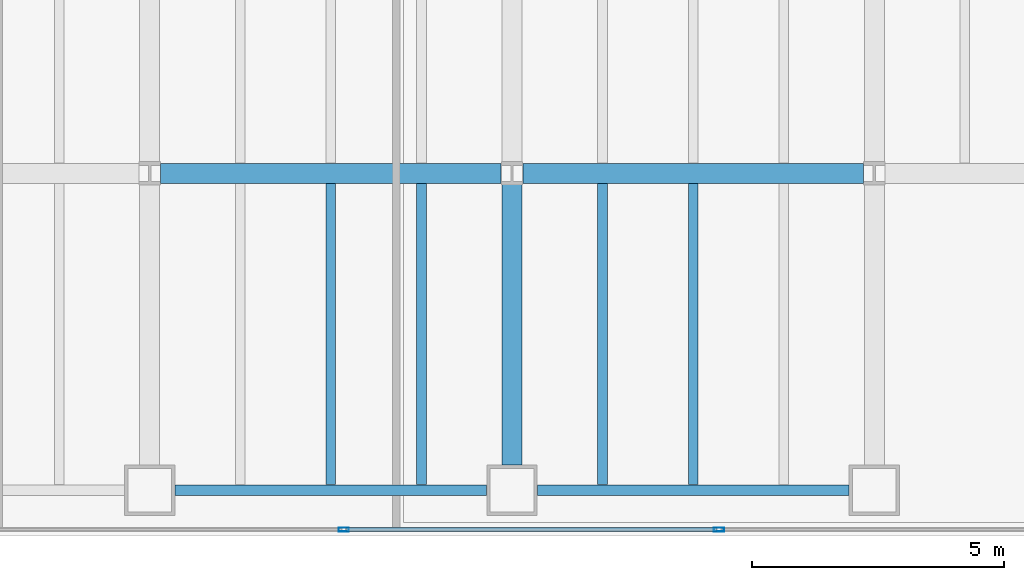
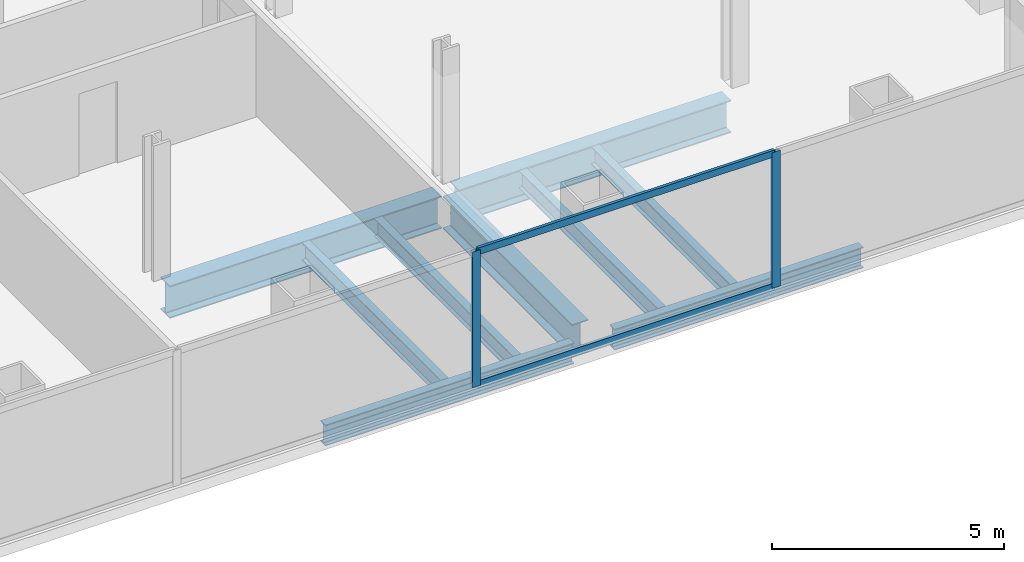
# One storey, part 7 of 25: 9 beams, 4 members, 1 element without a shape of its own.
"""IFC4 building model written with IfcOpenShell, lengths in metres."""

from ifc_helpers import new_model, si_unit, direction, frame, origin, origin_2d, place, context, subcontext, project, spatial, hollow_rectangle, i_section, extrude, material, material_profile, profile_set, type_object, element, aggregate, save


model = new_model("IFC4")

# Units and contexts
model_context = context("Model", 3, precision=1e-05, world=origin(), true_north=direction((0.0, 1.0)))
body_context = subcontext(model_context, "Body", "Model", "MODEL_VIEW")
ifc_project = project(units=[si_unit("LENGTHUNIT", "METRE"), si_unit("AREAUNIT", "SQUARE_METRE"), si_unit("VOLUMEUNIT", "CUBIC_METRE"), si_unit("PLANEANGLEUNIT", "RADIAN"), si_unit("MASSUNIT", "GRAM", prefix="KILO")], contexts=[model_context])

# Site, building, storey
site_placement = place(None, origin())
site = spatial("IfcSite", under=ifc_project, at=site_placement, CompositionType="ELEMENT")
building_placement = place(site_placement, origin())
building = spatial("IfcBuilding", under=site, at=building_placement, Name="Cobrela Telecom Tower", CompositionType="ELEMENT")
storey_placement = place(building_placement, frame((0.0, 0.0, 61.949951171875)))
storey = spatial("IfcBuildingStorey", under=building, at=storey_placement, Name="L15", CompositionType="ELEMENT", Elevation=61.949951171875)

# Beams
ifc_material_1 = material(Name="Steel ASTM A992 Grade 50", Category="steel")
ifc_material_profile_1 = material_profile(ifc_material_1, i_section(OverallWidth=0.39892578125, OverallDepth=0.85595703125, WebThickness=0.018310546875, FlangeThickness=0.029296875, FilletRadius=0.02001953125, at=origin_2d()), Name="W33X201")
ifc_profile_set_1 = profile_set([ifc_material_profile_1], Name="Steel ASTM A992 Grade 50")
beam_type_1 = type_object("IfcBeamType", Name="BM-GIRD-03", PredefinedType="USERDEFINED", material=ifc_profile_set_1)
for number, where, z_axis, x_axis, name in (
    (1, (29.01611328125, 7.199951171875, -0.7080078125), (1.0, 0.0, 0.0), (0.0, 1.0, 0.0), "L15 Primary Girder X10"),
    (2, (36.216064453125, 7.199951171875, -0.7080078125), (1.0, 0.0, 0.0), (0.0, 1.0, 0.0), "L15 Primary Girder X11"),
):
    element("IfcBeam", number, at=place(storey_placement, frame(where, z_axis=z_axis, x_axis=x_axis)), inside=storey, type_object=beam_type_1, Name=name, ObjectType="GIRDER", PredefinedType="USERDEFINED", context=body_context, shape_type="SweptSolid", body=[
        extrude(i_section(OverallWidth=0.39892578125, OverallDepth=0.85595703125, WebThickness=0.018310546875, FlangeThickness=0.029296875, FilletRadius=0.02001953125, at=origin_2d()), origin(), (0.0, 0.0, 1.0), 6.767822265625),
    ])
beam_placement = place(storey_placement, frame((36.0, 1.405029296875, -0.7080078125), z_axis=(0.0, 1.0, 0.0), x_axis=(-1.0, 0.0, 0.0)))
element("IfcBeam", 3, at=beam_placement, inside=storey, type_object=beam_type_1, Name="L15 Primary Girder Y50", ObjectType="GIRDER", PredefinedType="USERDEFINED", context=body_context, shape_type="SweptSolid", body=[
    extrude(i_section(OverallWidth=0.39892578125, OverallDepth=0.85595703125, WebThickness=0.018310546875, FlangeThickness=0.029296875, FilletRadius=0.02001953125, at=origin_2d()), origin(), (0.0, 0.0, 1.0), 5.578857421875),
])
ifc_material_profile_2 = material_profile(ifc_material_1, i_section(OverallWidth=0.193115234375, OverallDepth=0.467041015625, WebThickness=0.011474609375, FlangeThickness=0.01904296875, FilletRadius=0.012939453125, at=origin_2d()), Name="W18X65")
ifc_profile_set_2 = profile_set([ifc_material_profile_2], Name="Steel ASTM A992 Grade 50")
beam_type_2 = type_object("IfcBeamType", Name="BM-JOIST-03", PredefinedType="JOIST", material=ifc_profile_set_2)
for number, where, z_axis, x_axis, name in (
    (4, (32.39990234375, 1.011474609375, -0.513427734375), (0.0, 1.0, 0.0), (-1.0, 0.0, 0.0), "L15 Secondary Composite Floor Beam J44"),
    (5, (34.199951171875, 1.011474609375, -0.513427734375), (0.0, 1.0, 0.0), (-1.0, 0.0, 0.0), "L15 Secondary Composite Floor Beam J47"),
    (6, (37.800048828125, 1.011474609375, -0.513427734375), (0.0, 1.0, 0.0), (-1.0, 0.0, 0.0), "L15 Secondary Composite Floor Beam J50"),
    (7, (39.60009765625, 1.011474609375, -0.513427734375), (0.0, 1.0, 0.0), (-1.0, 0.0, 0.0), "L15 Secondary Composite Floor Beam J53"),
):
    element("IfcBeam", number, at=place(storey_placement, frame(where, z_axis=z_axis, x_axis=x_axis)), inside=storey, type_object=beam_type_2, Name=name, PredefinedType="JOIST", context=body_context, shape_type="SweptSolid", body=[
        extrude(i_section(OverallWidth=0.193115234375, OverallDepth=0.467041015625, WebThickness=0.011474609375, FlangeThickness=0.01904296875, FilletRadius=0.012939453125, at=origin_2d()), origin(), (0.0, 0.0, 1.0), 5.984130859375),
    ])
ifc_material_profile_3 = material_profile(ifc_material_1, i_section(OverallWidth=0.212890625, OverallDepth=0.549072265625, WebThickness=0.0146484375, FlangeThickness=0.023681640625, FilletRadius=0.013916015625, at=origin_2d()), Name="W21X93")
ifc_profile_set_3 = profile_set([ifc_material_profile_3], Name="Steel ASTM A992 Grade 50")
beam_type_3 = type_object("IfcBeamType", Name="BM-SPAND-03", PredefinedType="SPANDREL", material=ifc_profile_set_3)
for number, where, z_axis, x_axis, name in (
    (8, (29.304931640625, 0.89990234375, -0.554443359375), (1.0, 0.0, 0.0), (0.0, 1.0, 0.0), "L15 Perimeter Spandrel X04"),
    (9, (36.5048828125, 0.89990234375, -0.554443359375), (1.0, 0.0, 0.0), (0.0, 1.0, 0.0), "L15 Perimeter Spandrel X05"),
):
    element("IfcBeam", number, at=place(storey_placement, frame(where, z_axis=z_axis, x_axis=x_axis)), inside=storey, type_object=beam_type_3, Name=name, PredefinedType="SPANDREL", context=body_context, shape_type="SweptSolid", body=[
        extrude(i_section(OverallWidth=0.212890625, OverallDepth=0.549072265625, WebThickness=0.0146484375, FlangeThickness=0.023681640625, FilletRadius=0.013916015625, at=origin_2d()), origin(), (0.0, 0.0, 1.0), 6.190185546875),
    ])

# Curtain wall, members
ifc_material_2 = material(Name="Anodized Bronze Aluminium 6063-T6", Category="aluminium")
curtain_wall_type = type_object("IfcCurtainWallType", Name="CW-SYS-DATA", PredefinedType="USERDEFINED", material=ifc_material_2)
curtain_wall_placement = place(storey_placement, origin())
curtain_wall = element("IfcCurtainWall", 10, at=curtain_wall_placement, inside=storey, type_object=curtain_wall_type, Name="L15 Unitised Bronze Curtain Wall 17", ObjectType="UNITISED CURTAIN WALL", PredefinedType="USERDEFINED")
ifc_material_profile_4 = material_profile(ifc_material_2, hollow_rectangle(XDim=0.080078125, YDim=0.199951171875, WallThickness=0.00390625, at=origin_2d()), Name="ALU 80x200x4")
ifc_profile_set_4 = profile_set([ifc_material_profile_4], Name="Anodized Bronze Aluminium 6063-T6")
member_type_1 = type_object("IfcMemberType", Name="CW-SYS-DATA-MUL", PredefinedType="MULLION", material=ifc_profile_set_4)
member_1_placement = place(storey_placement, frame((40.11328125, 0.1201171875, 0.0), z_axis=(0.0, 0.0, 1.0), x_axis=(0.0, -1.0, 0.0)))
member_1 = element("IfcMember", 11, at=member_1_placement, type_object=member_type_1, Name="CW-DATA mullion 2", PredefinedType="MULLION", context=body_context, shape_type="SweptSolid", body=[
    extrude(hollow_rectangle(XDim=0.080078125, YDim=0.199951171875, WallThickness=0.00390625, at=origin_2d()), origin(), (0.0, 0.0, 1.0), 3.570068359375),
])
member_2_placement = place(storey_placement, frame((32.65673828125, 0.1201171875, 0.0), z_axis=(0.0, 0.0, 1.0), x_axis=(0.0, -1.0, 0.0)))
member_2 = element("IfcMember", 12, at=member_2_placement, type_object=member_type_1, Name="CW-DATA mullion 3", PredefinedType="MULLION", context=body_context, shape_type="SweptSolid", body=[
    extrude(hollow_rectangle(XDim=0.080078125, YDim=0.199951171875, WallThickness=0.00390625, at=origin_2d()), origin(), (0.0, 0.0, 1.0), 3.570068359375),
])
ifc_material_profile_5 = material_profile(ifc_material_2, hollow_rectangle(XDim=0.074951171875, YDim=0.179931640625, WallThickness=0.00390625, at=origin_2d()), Name="ALU 75x180x4")
ifc_profile_set_5 = profile_set([ifc_material_profile_5], Name="Anodized Bronze Aluminium 6063-T6")
member_type_2 = type_object("IfcMemberType", Name="CW-SYS-DATA-TRN", PredefinedType="USERDEFINED", material=ifc_profile_set_5)
member_3_placement = place(storey_placement, frame((40.0732421875, 0.1201171875, 0.03759765625), z_axis=(-1.0, 0.0, 0.0), x_axis=(0.0, -1.0, 0.0)))
member_3 = element("IfcMember", 13, at=member_3_placement, type_object=member_type_2, Name="CW-DATA transom 2.1", ObjectType="TRANSOM", PredefinedType="USERDEFINED", context=body_context, shape_type="SweptSolid", body=[
    extrude(hollow_rectangle(XDim=0.074951171875, YDim=0.179931640625, WallThickness=0.00390625, at=origin_2d()), origin(), (0.0, 0.0, 1.0), 7.37646484375),
])
member_4_placement = place(storey_placement, frame((40.0732421875, 0.1201171875, 3.532470703125), z_axis=(-1.0, 0.0, 0.0), x_axis=(0.0, -1.0, 0.0)))
member_4 = element("IfcMember", 14, at=member_4_placement, type_object=member_type_2, Name="CW-DATA transom 2.2", ObjectType="TRANSOM", PredefinedType="USERDEFINED", context=body_context, shape_type="SweptSolid", body=[
    extrude(hollow_rectangle(XDim=0.074951171875, YDim=0.179931640625, WallThickness=0.00390625, at=origin_2d()), origin(), (0.0, 0.0, 1.0), 7.37646484375),
])
aggregate(curtain_wall, [member_1, member_2, member_3, member_4])

save(model, "model.ifc")
